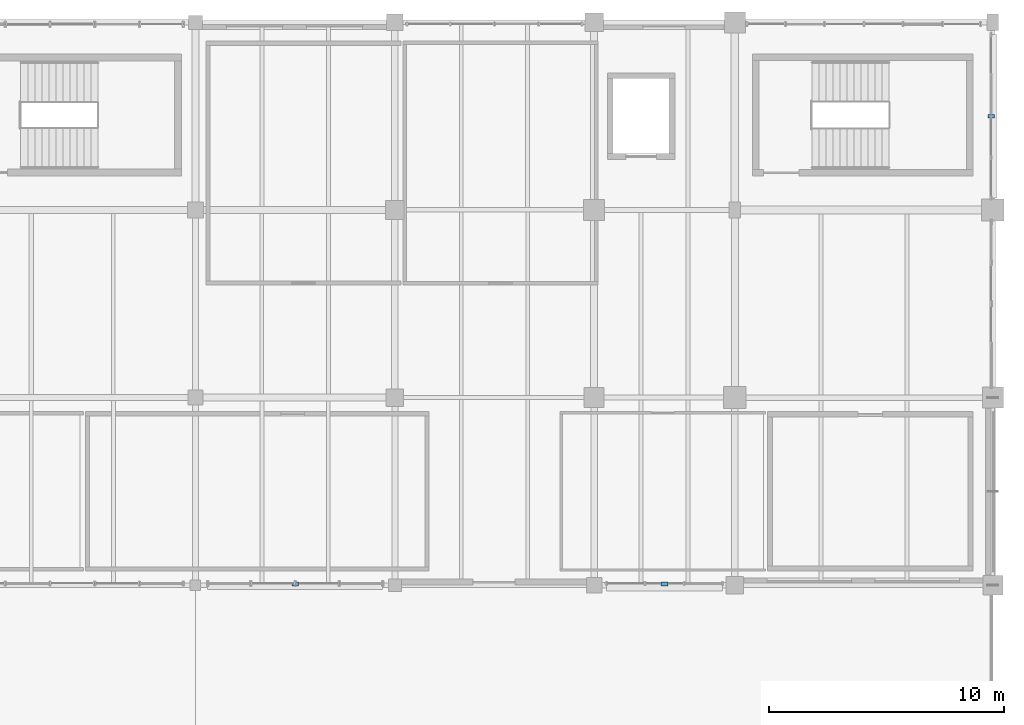
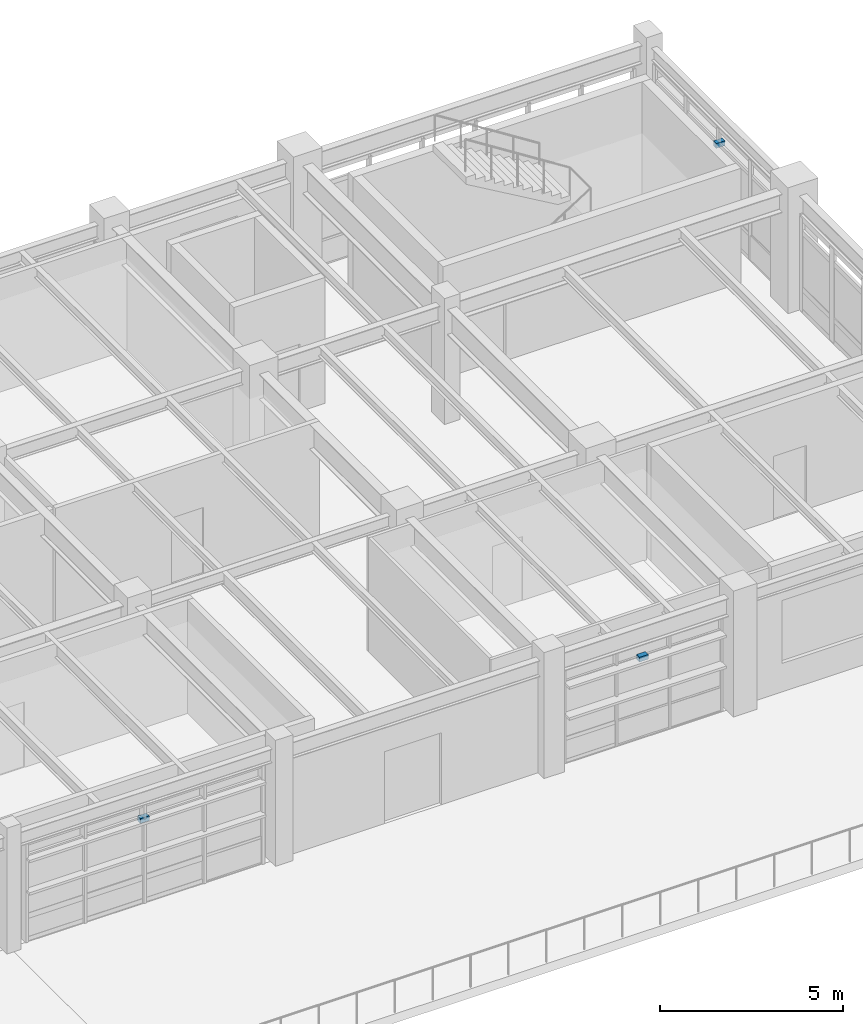
# One storey, part 53 of 56: 3 discrete accessories.
"""IFC4 building model written with IfcOpenShell, lengths in metres."""

from ifc_helpers import new_model, si_unit, direction, frame, origin, origin_2d, place, context, subcontext, project, spatial, rectangle, extrude, material, type_object, element, save


model = new_model("IFC4")

# Units and contexts
model_context = context("Model", 3, precision=1e-05, world=origin(), true_north=direction((0.0, 1.0)))
body_context = subcontext(model_context, "Body", "Model", "MODEL_VIEW")
ifc_project = project(units=[si_unit("LENGTHUNIT", "METRE"), si_unit("AREAUNIT", "SQUARE_METRE"), si_unit("VOLUMEUNIT", "CUBIC_METRE"), si_unit("PLANEANGLEUNIT", "RADIAN"), si_unit("MASSUNIT", "GRAM", prefix="KILO"), si_unit("THERMODYNAMICTEMPERATUREUNIT", "KELVIN"), si_unit("POWERUNIT", "WATT")], contexts=[model_context])

# Site, building, storey
site_placement = place(None, origin())
site = spatial("IfcSite", under=ifc_project, at=site_placement, CompositionType="ELEMENT")
building_placement = place(site_placement, origin())
building = spatial("IfcBuilding", under=site, at=building_placement, Name="Tepalcoro Natatorium and Aquatics Centre", CompositionType="ELEMENT")
storey_placement = place(building_placement, frame((0.0, 0.0, 14.800048828125)))
storey = spatial("IfcBuildingStorey", under=building, at=storey_placement, Name="L03", CompositionType="ELEMENT", Elevation=14.800048828125)

# Discrete accessories
ifc_material_1 = material(Name="Plate Steel ASTM A572 Grade 50 (Fy 345 MPa)", Category="steel")
discrete_accessory_type_1 = type_object("IfcDiscreteAccessoryType", Name="BRK_FACADE_GALV", PredefinedType="BRACKET", material=ifc_material_1)
discrete_accessory_placement = place(storey_placement, frame((162.0, 94.05615234375, 2.58935546875), z_axis=(0.0, 0.0, 1.0), x_axis=(1.0, 0.0, 0.0)))
element("IfcDiscreteAccessory", 1, at=discrete_accessory_placement, inside=storey, type_object=discrete_accessory_type_1, Name="Solar Shading Outrigger Bracket BRK_FACADE_GALV", PredefinedType="BRACKET", context=body_context, shape_type="SweptSolid", body=[
    extrude(rectangle(XDim=0.280029296875, YDim=0.159912109375, at=origin_2d()), origin(), (0.0, 0.0, 1.0), 0.159912109375),
])
ifc_material_2 = material(Name="Marine-Grade Brushed Stainless Steel AISI 316L", Category="steel")
discrete_accessory_type_2 = type_object("IfcDiscreteAccessoryType", Name="BRK_SEISMIC_SS", PredefinedType="BRACKET", material=ifc_material_2)
for number, where, z_axis, x_axis, name in (
    (2, (146.25, 94.05615234375, 2.71728515625), (0.0, 0.0, 1.0), (1.0, 0.0, 0.0), "Solar Shading Outrigger Bracket BRK_SEISMIC_SS"),
    (3, (175.938720703125, 114.0, 2.7568359375), (0.0, 0.0, 1.0), (1.0, 0.0, 0.0), "Solar Shading Outrigger Bracket BRK_SEISMIC_SS"),
):
    element("IfcDiscreteAccessory", number, at=place(storey_placement, frame(where, z_axis=z_axis, x_axis=x_axis)), inside=storey, type_object=discrete_accessory_type_2, Name=name, PredefinedType="BRACKET", context=body_context, shape_type="SweptSolid", body=[
        extrude(rectangle(XDim=0.280029296875, YDim=0.159912109375, at=origin_2d()), origin(), (0.0, 0.0, 1.0), 0.159912109375),
    ])

save(model, "model.ifc")
